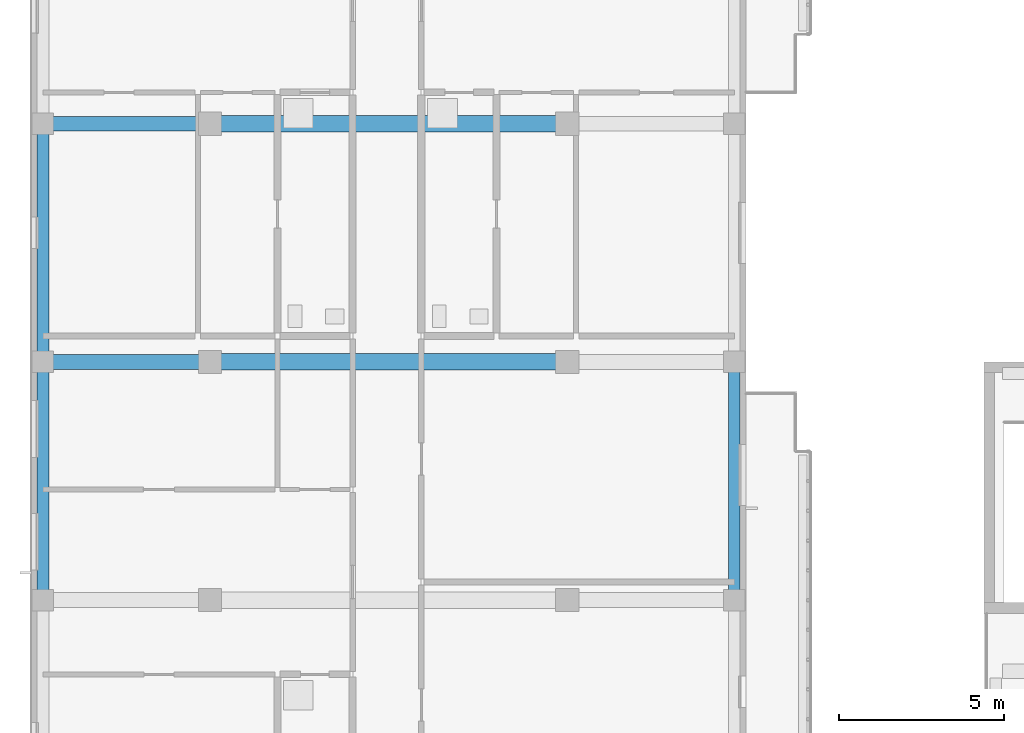
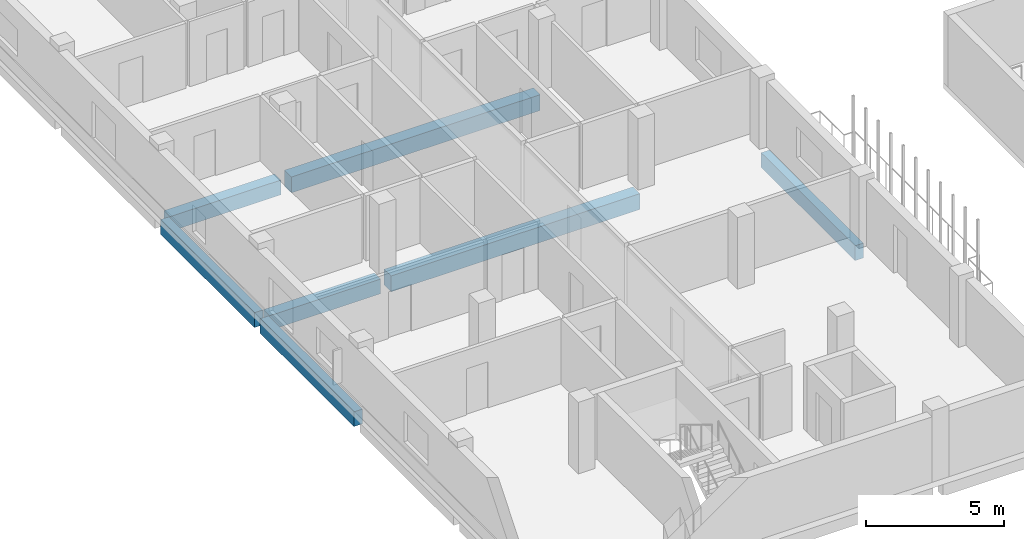
# One storey, part 3 of 56: 7 beams.
"""IFC4 building model written with IfcOpenShell, lengths in metres."""

from ifc_helpers import new_model, si_unit, derived_unit, direction, frame, origin, origin_2d, place, context, subcontext, project, spatial, rectangle, extrude, material, material_profile, profile_set, type_object, element, save


model = new_model("IFC4")

# Units and contexts
model_context = context("Model", 3, precision=1e-05, world=origin(), true_north=direction((0.0, 1.0)))
body_context = subcontext(model_context, "Body", "Model", "MODEL_VIEW")
ifc_project = project(units=[si_unit("LENGTHUNIT", "METRE"), si_unit("AREAUNIT", "SQUARE_METRE"), si_unit("VOLUMEUNIT", "CUBIC_METRE"), si_unit("PLANEANGLEUNIT", "RADIAN"), si_unit("MASSUNIT", "GRAM", prefix="KILO"), derived_unit("THERMALTRANSMITTANCEUNIT", [(si_unit("MASSUNIT", "GRAM", prefix="KILO"), 1), (si_unit("TIMEUNIT", "SECOND"), -3), (si_unit("THERMODYNAMICTEMPERATUREUNIT", "KELVIN"), -1)])], contexts=[model_context])

# Site, building, storey
site_placement = place(None, origin())
site = spatial("IfcSite", under=ifc_project, at=site_placement, CompositionType="ELEMENT")
building_placement = place(site_placement, origin())
building = spatial("IfcBuilding", under=site, at=building_placement, Name="Ochrekiln Boulevard Commons", CompositionType="ELEMENT")
storey_placement = place(building_placement, frame((0.0, 0.0, 12.074951171875)))
storey = spatial("IfcBuildingStorey", under=building, at=storey_placement, Name="L03", CompositionType="ELEMENT", Elevation=12.074951171875)

# Beams
ifc_material_1 = material(Name="Concrete C35/45", Category="concrete")
ifc_material_profile_1 = material_profile(ifc_material_1, rectangle(XDim=0.449951171875, YDim=0.64990234375, at=origin_2d()), Name="RC-BM-450x650")
ifc_profile_set_1 = profile_set([ifc_material_profile_1], Name="Concrete C35/45")
beam_type_1 = type_object("IfcBeamType", Name="BM-RC-450x650", PredefinedType="BEAM", material=ifc_profile_set_1)
for number, where, z_axis, x_axis, name in (
    (1, (0.56005859375, 21.60009765625, -0.5849609375), (1.0, 0.0, 0.0), (0.0, 1.0, 0.0), "Block D L03 Beam B-4565 X9"),
    (2, (0.56005859375, 28.800048828125, -0.5849609375), (1.0, 0.0, 0.0), (0.0, 1.0, 0.0), "Block D L03 Beam B-4565 X12"),
):
    element("IfcBeam", number, at=place(storey_placement, frame(where, z_axis=z_axis, x_axis=x_axis)), inside=storey, type_object=beam_type_1, Name=name, PredefinedType="BEAM", context=body_context, shape_type="SweptSolid", body=[
        extrude(rectangle(XDim=0.449951171875, YDim=0.64990234375, at=origin_2d()), origin(), (0.0, 0.0, 1.0), 4.6298828125),
    ])
ifc_material_2 = material(Name="Concrete C40/50", Category="concrete")
ifc_material_profile_2 = material_profile(ifc_material_2, rectangle(XDim=0.5, YDim=0.699951171875, at=origin_2d()), Name="RC-BM-500x700")
ifc_profile_set_2 = profile_set([ifc_material_profile_2], Name="Concrete C40/50")
beam_type_2 = type_object("IfcBeamType", Name="BM-RC-500x700", PredefinedType="BEAM", material=ifc_profile_set_2)
for number, where, z_axis, x_axis, name in (
    (3, (5.610107421875, 21.60009765625, -0.60986328125), (1.0, 0.0, 0.0), (0.0, 1.0, 0.0), "Block D L03 Beam B-5070 X10"),
    (4, (5.610107421875, 28.800048828125, -0.60986328125), (1.0, 0.0, 0.0), (0.0, 1.0, 0.0), "Block D L03 Beam B-5070 X13"),
):
    element("IfcBeam", number, at=place(storey_placement, frame(where, z_axis=z_axis, x_axis=x_axis)), inside=storey, type_object=beam_type_2, Name=name, PredefinedType="BEAM", context=body_context, shape_type="SweptSolid", body=[
        extrude(rectangle(XDim=0.5, YDim=0.699951171875, at=origin_2d()), origin(), (0.0, 0.0, 1.0), 10.3798828125),
    ])
ifc_material_profile_3 = material_profile(ifc_material_2, rectangle(XDim=0.35009765625, YDim=0.64990234375, at=origin_2d()), Name="RC-SPN-350x650")
ifc_profile_set_3 = profile_set([ifc_material_profile_3], Name="Concrete C40/50")
beam_type_3 = type_object("IfcBeamType", Name="SPN-RC-350x650", PredefinedType="SPANDREL", material=ifc_profile_set_3)
beam_1_placement = place(storey_placement, frame((0.35009765625, 14.610107421875, -0.5849609375), z_axis=(0.0, 1.0, 0.0), x_axis=(-1.0, 0.0, 0.0)))
element("IfcBeam", 5, at=beam_1_placement, inside=storey, type_object=beam_type_3, Name="Block D L03 Beam SP-3565 Y25", PredefinedType="SPANDREL", context=body_context, shape_type="SweptSolid", body=[
    extrude(rectangle(XDim=0.35009765625, YDim=0.64990234375, at=origin_2d()), origin(), (0.0, 0.0, 1.0), 6.77978515625),
])
beam_2_placement = place(storey_placement, frame((0.35009765625, 21.81005859375, -0.5849609375), z_axis=(0.0, 1.0, 0.0), x_axis=(-1.0, 0.0, 0.0)))
element("IfcBeam", 6, at=beam_2_placement, inside=storey, type_object=beam_type_3, Name="Block D L03 Beam SP-3565 Y26", PredefinedType="SPANDREL", context=body_context, shape_type="SweptSolid", body=[
    extrude(rectangle(XDim=0.35009765625, YDim=0.64990234375, at=origin_2d()), origin(), (0.0, 0.0, 1.0), 6.780029296875),
])
beam_3_placement = place(storey_placement, frame((21.25, 14.610107421875, -0.5849609375), z_axis=(0.0, 1.0, 0.0), x_axis=(-1.0, 0.0, 0.0)))
element("IfcBeam", 7, at=beam_3_placement, inside=storey, type_object=beam_type_3, Name="Block D L03 Beam SP-3565 Y32", PredefinedType="SPANDREL", context=body_context, shape_type="SweptSolid", body=[
    extrude(rectangle(XDim=0.35009765625, YDim=0.64990234375, at=origin_2d()), origin(), (0.0, 0.0, 1.0), 6.77978515625),
])

save(model, "model.ifc")
